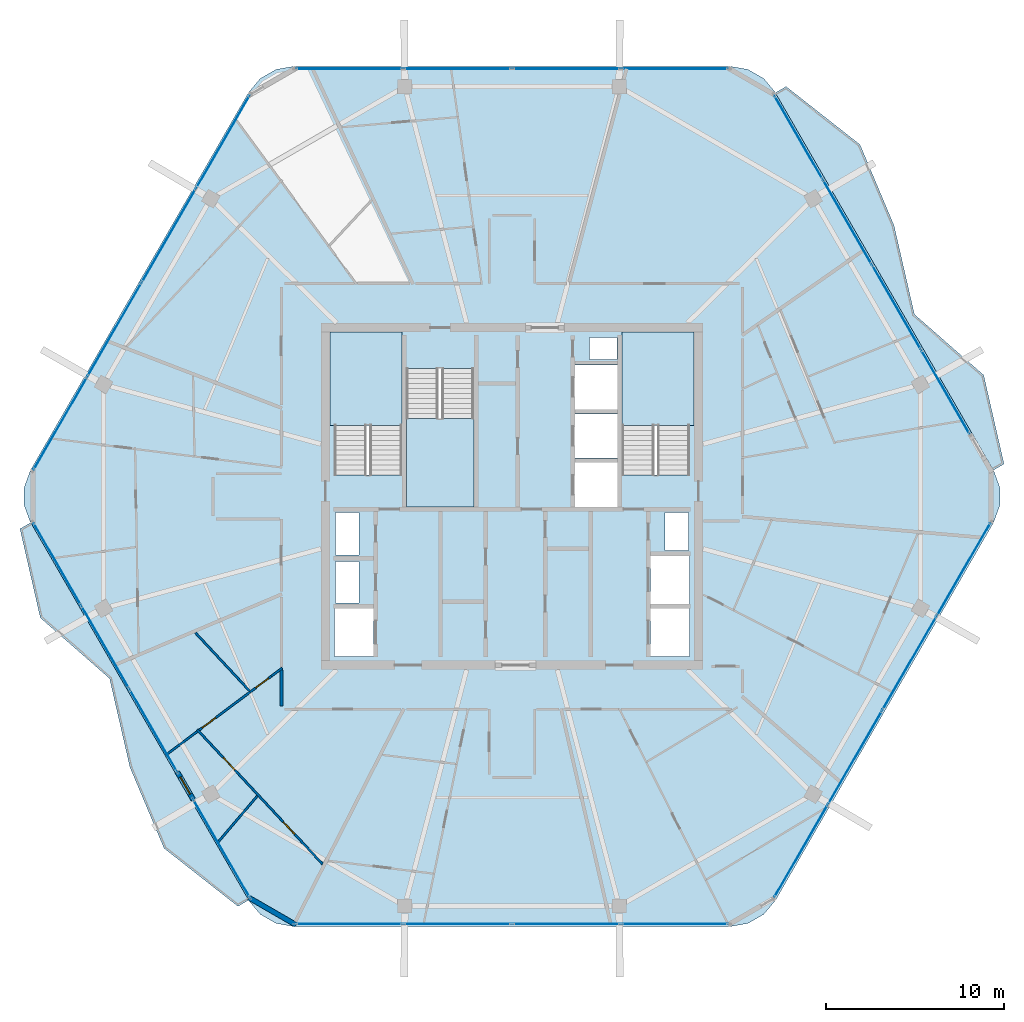
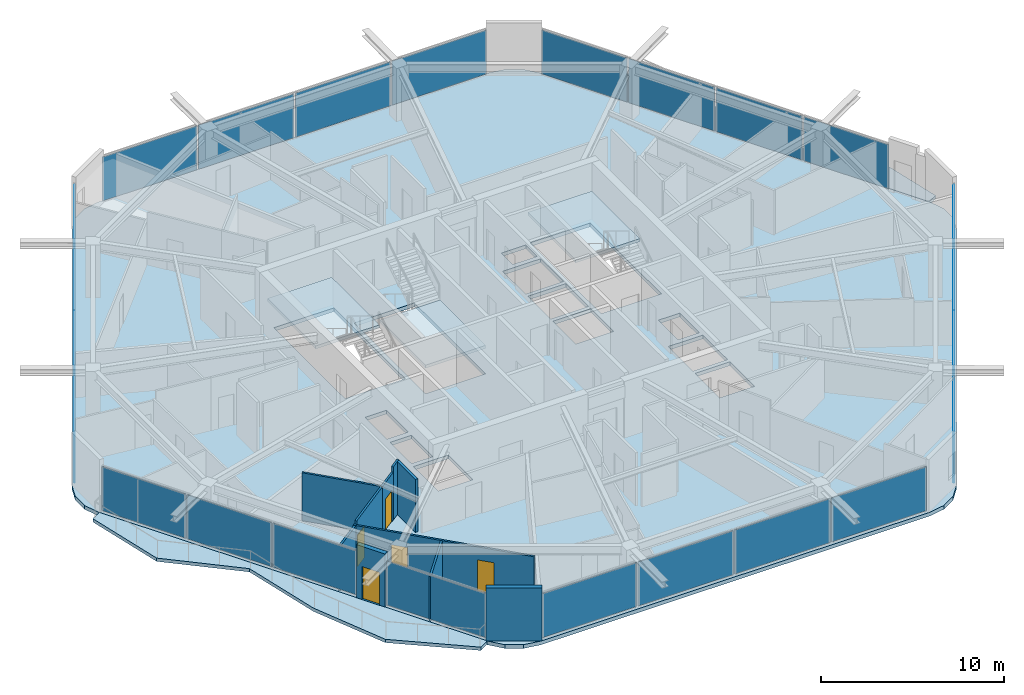
# One storey, part 13 of 21: 24 plates, 10 walls, 6 slabs, 5 doors, 5 openings, 10 elements without a shape of their own.
"""IFC4 building model written with IfcOpenShell, lengths in metres."""

from ifc_helpers import new_model, si_unit, direction, frame, frame_2d, origin, origin_2d, place, context, subcontext, project, spatial, polyline, rectangle, outline, extrude, material, layer, layer_set, type_object, element, fill, aggregate, save


model = new_model("IFC4")

# Units and contexts
model_context = context("Model", 3, precision=1e-05, world=origin(), true_north=direction((0.0, 1.0)))
body_context = subcontext(model_context, "Body", "Model", "MODEL_VIEW")
ifc_project = project(units=[si_unit("LENGTHUNIT", "METRE"), si_unit("AREAUNIT", "SQUARE_METRE"), si_unit("VOLUMEUNIT", "CUBIC_METRE"), si_unit("PLANEANGLEUNIT", "RADIAN"), si_unit("MASSUNIT", "GRAM", prefix="KILO")], contexts=[model_context])

# Site, building, storey
site_placement = place(None, origin())
site = spatial("IfcSite", under=ifc_project, at=site_placement, CompositionType="ELEMENT")
building_placement = place(site_placement, origin())
building = spatial("IfcBuilding", under=site, at=building_placement, Name="Zuhravey Tower", CompositionType="ELEMENT")
storey_placement = place(building_placement, frame((0.0, 0.0, 319.60009765625)))
storey = spatial("IfcBuildingStorey", under=building, at=storey_placement, Name="L81", CompositionType="ELEMENT", Elevation=319.60009765625)

# Slabs
ifc_material_1 = material(Name="Concrete C50/60", Category="concrete")
ifc_layer_1 = layer(ifc_material_1, 0.25)
ifc_layer_set_1 = layer_set([ifc_layer_1], Name="Concrete C50/60")
slab_type_1 = type_object("IfcSlabType", Name="Residential Acoustic Slab 250", PredefinedType="FLOOR", material=ifc_layer_set_1)
slab_1_placement = place(storey_placement, frame((0.0, 0.0, -0.25)))
element("IfcSlab", 1, at=slab_1_placement, inside=storey, type_object=slab_type_1, Name="L81 Floor Slab FS25", PredefinedType="FLOOR", context=body_context, shape_type="SweptSolid", body=[
    extrude(outline(polyline([(63.1083984375, 30.52490234375), (63.458740234375, 31.48779296875), (63.458740234375, 32.51220703125), (63.1083984375, 33.47509765625), (50.83154296875, 54.739013671875), (50.173095703125, 55.52392578125), (49.285888671875, 56.0361328125), (48.27685546875, 56.214111328125), (23.72314453125, 56.214111328125), (22.714111328125, 56.0361328125), (21.826904296875, 55.52392578125), (21.16845703125, 54.739013671875), (8.8916015625, 33.47509765625), (8.541259765625, 32.51220703125), (8.541259765625, 31.48779296875), (8.8916015625, 30.52490234375), (21.16845703125, 9.260986328125), (21.826904296875, 8.47607421875), (22.714111328125, 7.9638671875), (23.72314453125, 7.785888671875), (48.27685546875, 7.785888671875), (49.285888671875, 7.9638671875), (50.173095703125, 8.47607421875), (50.83154296875, 9.260986328125), (63.1083984375, 30.52490234375)]), holes=[polyline([(29.800048828125, 33.20068359375), (29.800048828125, 41.0), (26.0, 41.0), (26.0, 33.20068359375), (29.800048828125, 33.20068359375)]), polyline([(46.0, 33.20068359375), (46.0, 41.0), (42.199951171875, 41.0), (42.199951171875, 33.20068359375), (46.0, 33.20068359375)]), polyline([(30.050048828125, 39.199462890625), (30.050048828125, 31.39990234375), (33.85009765625, 31.39990234375), (33.85009765625, 39.199462890625), (30.050048828125, 39.199462890625)]), polyline([(39.550048828125, 31.39990234375), (41.949951171875, 31.39990234375), (41.949951171875, 33.89990234375), (39.550048828125, 33.89990234375), (39.550048828125, 31.39990234375)]), polyline([(39.550048828125, 34.14990234375), (41.949951171875, 34.14990234375), (41.949951171875, 36.64990234375), (39.550048828125, 36.64990234375), (39.550048828125, 34.14990234375)]), polyline([(39.550048828125, 36.89990234375), (41.949951171875, 36.89990234375), (41.949951171875, 39.39990234375), (39.550048828125, 39.39990234375), (39.550048828125, 36.89990234375)]), polyline([(26.0, 23.0), (28.199951171875, 23.0), (28.199951171875, 25.699951171875), (26.0, 25.699951171875), (26.0, 23.0)]), polyline([(43.800048828125, 23.0), (46.0, 23.0), (46.0, 25.699951171875), (43.800048828125, 25.699951171875), (43.800048828125, 23.0)]), polyline([(43.800048828125, 25.949951171875), (46.0, 25.949951171875), (46.0, 28.64990234375), (43.800048828125, 28.64990234375), (43.800048828125, 25.949951171875)]), polyline([(26.050048828125, 26.0), (27.39990234375, 26.0), (27.39990234375, 28.35009765625), (26.050048828125, 28.35009765625), (26.050048828125, 26.0)]), polyline([(26.050048828125, 28.699951171875), (27.39990234375, 28.699951171875), (27.39990234375, 31.10009765625), (26.050048828125, 31.10009765625), (26.050048828125, 28.699951171875)]), polyline([(44.60009765625, 28.949951171875), (45.949951171875, 28.949951171875), (45.949951171875, 31.10009765625), (44.60009765625, 31.10009765625), (44.60009765625, 28.949951171875)]), polyline([(40.35009765625, 39.699951171875), (41.89990234375, 39.699951171875), (41.89990234375, 40.949951171875), (40.35009765625, 40.949951171875), (40.35009765625, 39.699951171875)])]), origin(), (0.0, 0.0, 1.0), 0.25),
])
ifc_material_2 = material(Name="Concrete C40/50", Category="concrete")
ifc_layer_2 = layer(ifc_material_2, 0.219970703125)
ifc_layer_set_2 = layer_set([ifc_layer_2], Name="Concrete C40/50")
slab_type_2 = type_object("IfcSlabType", Name="Sinusoidal Residential Wave Balcony 220", PredefinedType="FLOOR", material=ifc_layer_set_2)
slab_2_placement = place(storey_placement, frame((0.0, 0.0, -0.22021484375)))
element("IfcSlab", 2, at=slab_2_placement, inside=storey, type_object=slab_type_2, Name="L81 Face 4 Wave Balcony WB22", PredefinedType="FLOOR", context=body_context, shape_type="SweptSolid", body=[
    extrude(outline(polyline([(8.908935546875, 30.52490234375), (21.177001953125, 9.27587890625), (20.57080078125, 8.92578125), (16.4140625, 12.1923828125), (14.494384765625, 16.75048828125), (13.345703125, 21.75390625), (9.44775390625, 25.169677734375), (8.302734375, 30.175048828125), (8.908935546875, 30.52490234375)])), origin(), (0.0, 0.0, 1.0), 0.22021484375),
])
slab_3_placement = place(storey_placement, frame((0.0, 0.0, -0.22021484375)))
element("IfcSlab", 3, at=slab_3_placement, inside=storey, type_object=slab_type_2, Name="L81 Face 1 Wave Balcony WB22", PredefinedType="FLOOR", context=body_context, shape_type="SweptSolid", body=[
    extrude(outline(polyline([(63.091064453125, 33.47509765625), (50.822998046875, 54.72412109375), (51.42919921875, 55.07421875), (55.5859375, 51.8076171875), (57.505615234375, 47.24951171875), (58.654296875, 42.24609375), (62.55224609375, 38.830322265625), (63.697265625, 33.824951171875), (63.091064453125, 33.47509765625)])), origin(), (0.0, 0.0, 1.0), 0.22021484375),
])

# Stair, slab
stair_type = type_object("IfcStairType", Name="Housing Storey Stair Assembly 3800", PredefinedType="HALF_TURN_STAIR", material=ifc_material_2)
stair_1_placement = place(storey_placement, origin())
stair_1 = element("IfcStair", 4, at=stair_1_placement, inside=storey, type_object=stair_type, Name="L81 Core Exit Stair ST1", PredefinedType="HALF_TURN_STAIR")
ifc_layer_3 = layer(ifc_material_2, 0.199951171875)
ifc_layer_set_3 = layer_set([ifc_layer_3], Name="Concrete C40/50")
slab_type_3 = type_object("IfcSlabType", Name="Stair Landing Slab 200", PredefinedType="LANDING", material=ifc_layer_set_3)
slab_4_placement = place(storey_placement, frame((0.0, 0.0, 1.699951171875)))
slab_4 = element("IfcSlab", 5, at=slab_4_placement, type_object=slab_type_3, Name="ST1 landing 1", PredefinedType="LANDING", context=body_context, shape_type="SweptSolid", body=[
    extrude(outline(polyline([(29.800048828125, 36.0), (29.800048828125, 41.248046875), (25.751953125, 41.248046875), (25.751953125, 36.0), (29.800048828125, 36.0)])), origin(), (0.0, 0.0, 1.0), 0.199951171875),
])
aggregate(stair_1, [slab_4])

stair_2_placement = place(storey_placement, origin())
stair_2 = element("IfcStair", 6, at=stair_2_placement, inside=storey, type_object=stair_type, Name="L81 Core Exit Stair ST2", PredefinedType="HALF_TURN_STAIR")
slab_5_placement = place(storey_placement, frame((0.0, 0.0, 1.699951171875)))
slab_5 = element("IfcSlab", 7, at=slab_5_placement, type_object=slab_type_3, Name="ST2 landing 1", PredefinedType="LANDING", context=body_context, shape_type="SweptSolid", body=[
    extrude(outline(polyline([(46.248046875, 36.0), (46.248046875, 41.248046875), (42.199951171875, 41.248046875), (42.199951171875, 36.0), (46.248046875, 36.0)])), origin(), (0.0, 0.0, 1.0), 0.199951171875),
])
aggregate(stair_2, [slab_5])

stair_3_placement = place(storey_placement, origin())
stair_3 = element("IfcStair", 8, at=stair_3_placement, inside=storey, type_object=stair_type, Name="L81 Core Exit Stair ST3", PredefinedType="HALF_TURN_STAIR")
slab_6_placement = place(storey_placement, frame((0.0, 0.0, 1.699951171875)))
slab_6 = element("IfcSlab", 9, at=slab_6_placement, type_object=slab_type_3, Name="ST3 landing 1", PredefinedType="LANDING", context=body_context, shape_type="SweptSolid", body=[
    extrude(outline(polyline([(30.050048828125, 36.39990234375), (30.050048828125, 31.39990234375), (33.85009765625, 31.39990234375), (33.85009765625, 36.39990234375), (30.050048828125, 36.39990234375)])), origin(), (0.0, 0.0, 1.0), 0.199951171875),
])
aggregate(stair_3, [slab_6])

# Curtain wall, plates
ifc_material_3 = material(Name="Thermally broken anodised aluminium", Category="aluminium")
curtain_wall_type = type_object("IfcCurtainWallType", Name="Zone 3-4 High-Rise Curtain Wall CW4", PredefinedType="NOTDEFINED", material=ifc_material_3)
curtain_wall_1_placement = place(storey_placement, origin())
curtain_wall_1 = element("IfcCurtainWall", 10, at=curtain_wall_1_placement, inside=storey, type_object=curtain_wall_type, Name="L81 CW4 CW-L81-F6-1", PredefinedType="NOTDEFINED")
ifc_material_4 = material(Name="Triple low-E insulated vision glass", Category="glass")
ifc_layer_4 = layer(ifc_material_4, 0.0419921875)
ifc_layer_set_4 = layer_set([ifc_layer_4], Name="Triple low-E insulated vision glass")
plate_type = type_object("IfcPlateType", Name="Triple Low-E Vision Panel", PredefinedType="CURTAIN_PANEL", material=ifc_layer_set_4)
plate_1_placement = place(storey_placement, frame((61.42724609375, 27.89306640625, 0.08984375), z_axis=(0.0, 0.0, 1.0), x_axis=(-0.49999981336, -0.866025511541, 0.0)))
plate_1 = element("IfcPlate", 11, at=plate_1_placement, type_object=plate_type, Name="CW4 panel 1.1", PredefinedType="CURTAIN_PANEL", context=body_context, shape_type="SweptSolid", body=[
    extrude(rectangle(XDim=5.984619140625, YDim=0.0419921875, at=origin_2d()), origin(), (0.0, 0.0, 1.0), 2.94189453125),
])
plate_2_placement = place(storey_placement, frame((58.378662109375, 22.61279296875, 0.08984375), z_axis=(0.0, 0.0, 1.0), x_axis=(-0.49999981336, -0.866025511541, 0.0)))
plate_2 = element("IfcPlate", 12, at=plate_2_placement, type_object=plate_type, Name="CW4 panel 2.1", PredefinedType="CURTAIN_PANEL", context=body_context, shape_type="SweptSolid", body=[
    extrude(rectangle(XDim=6.029541015625, YDim=0.0419921875, at=origin_2d()), origin(), (0.0, 0.0, 1.0), 2.94189453125),
])
plate_3_placement = place(storey_placement, frame((55.31884765625, 17.31298828125, 0.08984375), z_axis=(0.0, 0.0, 1.0), x_axis=(-0.49999981336, -0.866025511541, 0.0)))
plate_3 = element("IfcPlate", 13, at=plate_3_placement, type_object=plate_type, Name="CW4 panel 3.1", PredefinedType="CURTAIN_PANEL", context=body_context, shape_type="SweptSolid", body=[
    extrude(rectangle(XDim=6.029541015625, YDim=0.0419921875, at=origin_2d()), origin(), (0.0, 0.0, 1.0), 2.94189453125),
])
plate_4_placement = place(storey_placement, frame((52.270263671875, 12.03271484375, 0.08984375), z_axis=(0.0, 0.0, 1.0), x_axis=(-0.49999981336, -0.866025511541, 0.0)))
plate_4 = element("IfcPlate", 14, at=plate_4_placement, type_object=plate_type, Name="CW4 panel 4.1", PredefinedType="CURTAIN_PANEL", context=body_context, shape_type="SweptSolid", body=[
    extrude(rectangle(XDim=5.984619140625, YDim=0.0419921875, at=origin_2d()), origin(), (0.0, 0.0, 1.0), 2.94189453125),
])
aggregate(curtain_wall_1, [plate_1, plate_2, plate_3, plate_4])

curtain_wall_2_placement = place(storey_placement, origin())
curtain_wall_2 = element("IfcCurtainWall", 15, at=curtain_wall_2_placement, inside=storey, type_object=curtain_wall_type, Name="L81 CW4 CW-L81-F5-1", PredefinedType="NOTDEFINED")
plate_5_placement = place(storey_placement, frame((45.156982421875, 7.92578125, 0.08984375), z_axis=(0.0, 0.0, 1.0), x_axis=(-1.0, 0.0, 0.0)))
plate_5 = element("IfcPlate", 16, at=plate_5_placement, type_object=plate_type, Name="CW4 panel 1.1", PredefinedType="CURTAIN_PANEL", context=body_context, shape_type="SweptSolid", body=[
    extrude(rectangle(XDim=5.984619140625, YDim=0.0419921875, at=origin_2d()), origin(), (0.0, 0.0, 1.0), 2.94189453125),
])
plate_6_placement = place(storey_placement, frame((39.059814453125, 7.92578125, 0.08984375), z_axis=(0.0, 0.0, 1.0), x_axis=(-1.0, 0.0, 0.0)))
plate_6 = element("IfcPlate", 17, at=plate_6_placement, type_object=plate_type, Name="CW4 panel 2.1", PredefinedType="CURTAIN_PANEL", context=body_context, shape_type="SweptSolid", body=[
    extrude(rectangle(XDim=6.029541015625, YDim=0.0419921875, at=origin_2d()), origin(), (0.0, 0.0, 1.0), 2.94189453125),
])
plate_7_placement = place(storey_placement, frame((32.940185546875, 7.92578125, 0.08984375), z_axis=(0.0, 0.0, 1.0), x_axis=(-1.0, 0.0, 0.0)))
plate_7 = element("IfcPlate", 18, at=plate_7_placement, type_object=plate_type, Name="CW4 panel 3.1", PredefinedType="CURTAIN_PANEL", context=body_context, shape_type="SweptSolid", body=[
    extrude(rectangle(XDim=6.029541015625, YDim=0.0419921875, at=origin_2d()), origin(), (0.0, 0.0, 1.0), 2.94189453125),
])
plate_8_placement = place(storey_placement, frame((26.843017578125, 7.92578125, 0.08984375), z_axis=(0.0, 0.0, 1.0), x_axis=(-1.0, 0.0, 0.0)))
plate_8 = element("IfcPlate", 19, at=plate_8_placement, type_object=plate_type, Name="CW4 panel 4.1", PredefinedType="CURTAIN_PANEL", context=body_context, shape_type="SweptSolid", body=[
    extrude(rectangle(XDim=5.984619140625, YDim=0.0419921875, at=origin_2d()), origin(), (0.0, 0.0, 1.0), 2.94189453125),
])
aggregate(curtain_wall_2, [plate_5, plate_6, plate_7, plate_8])

# Curtain wall, plate
curtain_wall_3_placement = place(storey_placement, origin())
curtain_wall_3 = element("IfcCurtainWall", 20, at=curtain_wall_3_placement, inside=storey, type_object=curtain_wall_type, Name="L81 CW4 CW-L81-F4-1", PredefinedType="NOTDEFINED")
plate_9_placement = place(storey_placement, frame((19.6494140625, 12.171630859375, 0.08984375), z_axis=(0.0, 0.0, 1.0), x_axis=(-0.499999623365, 0.866025621235, 0.0)))
plate_9 = element("IfcPlate", 21, at=plate_9_placement, type_object=plate_type, Name="CW4 panel 1.1", PredefinedType="CURTAIN_PANEL", context=body_context, shape_type="SweptSolid", body=[
    extrude(rectangle(XDim=6.3056640625, YDim=0.0419921875, at=origin_2d()), origin(), (0.0, 0.0, 1.0), 2.94189453125),
])
aggregate(curtain_wall_3, [plate_9])

# Curtain wall, plates
curtain_wall_4_placement = place(storey_placement, origin())
curtain_wall_4 = element("IfcCurtainWall", 22, at=curtain_wall_4_placement, inside=storey, type_object=curtain_wall_type, Name="L81 CW4 CW-L81-F4-2", PredefinedType="NOTDEFINED")
plate_10_placement = place(storey_placement, frame((15.80908203125, 18.823486328125, 0.08984375), z_axis=(0.0, 0.0, 1.0), x_axis=(-0.49999872177, 0.86602614177, 0.0)))
plate_10 = element("IfcPlate", 23, at=plate_10_placement, type_object=plate_type, Name="CW4 panel 1.1", PredefinedType="CURTAIN_PANEL", context=body_context, shape_type="SweptSolid", body=[
    extrude(rectangle(XDim=5.2958984375, YDim=0.0419921875, at=origin_2d()), origin(), (0.0, 0.0, 1.0), 2.94189453125),
])
plate_11_placement = place(storey_placement, frame((13.104736328125, 23.50732421875, 0.08984375), z_axis=(0.0, 0.0, 1.0), x_axis=(-0.49999872177, 0.86602614177, 0.0)))
plate_11 = element("IfcPlate", 24, at=plate_11_placement, type_object=plate_type, Name="CW4 panel 2.1", PredefinedType="CURTAIN_PANEL", context=body_context, shape_type="SweptSolid", body=[
    extrude(rectangle(XDim=5.341064453125, YDim=0.0419921875, at=origin_2d()), origin(), (0.0, 0.0, 1.0), 2.94189453125),
])
plate_12_placement = place(storey_placement, frame((10.400634765625, 28.19140625, 0.08984375), z_axis=(0.0, 0.0, 1.0), x_axis=(-0.49999872177, 0.86602614177, 0.0)))
plate_12 = element("IfcPlate", 25, at=plate_12_placement, type_object=plate_type, Name="CW4 panel 3.1", PredefinedType="CURTAIN_PANEL", context=body_context, shape_type="SweptSolid", body=[
    extrude(rectangle(XDim=5.2958984375, YDim=0.0419921875, at=origin_2d()), origin(), (0.0, 0.0, 1.0), 2.94189453125),
])
aggregate(curtain_wall_4, [plate_10, plate_11, plate_12])

curtain_wall_5_placement = place(storey_placement, origin())
curtain_wall_5 = element("IfcCurtainWall", 26, at=curtain_wall_5_placement, inside=storey, type_object=curtain_wall_type, Name="L81 CW4 CW-L81-F3-1", PredefinedType="NOTDEFINED")
plate_13_placement = place(storey_placement, frame((10.57275390625, 36.10693359375, 0.08984375), z_axis=(0.0, 0.0, 1.0), x_axis=(0.49999981336, 0.866025511541, 0.0)))
plate_13 = element("IfcPlate", 27, at=plate_13_placement, type_object=plate_type, Name="CW4 panel 1.1", PredefinedType="CURTAIN_PANEL", context=body_context, shape_type="SweptSolid", body=[
    extrude(rectangle(XDim=5.984619140625, YDim=0.0419921875, at=origin_2d()), origin(), (0.0, 0.0, 1.0), 2.94189453125),
])
plate_14_placement = place(storey_placement, frame((13.621337890625, 41.38720703125, 0.08984375), z_axis=(0.0, 0.0, 1.0), x_axis=(0.49999981336, 0.866025511541, 0.0)))
plate_14 = element("IfcPlate", 28, at=plate_14_placement, type_object=plate_type, Name="CW4 panel 2.1", PredefinedType="CURTAIN_PANEL", context=body_context, shape_type="SweptSolid", body=[
    extrude(rectangle(XDim=6.029541015625, YDim=0.0419921875, at=origin_2d()), origin(), (0.0, 0.0, 1.0), 2.94189453125),
])
plate_15_placement = place(storey_placement, frame((16.68115234375, 46.68701171875, 0.08984375), z_axis=(0.0, 0.0, 1.0), x_axis=(0.49999981336, 0.866025511541, 0.0)))
plate_15 = element("IfcPlate", 29, at=plate_15_placement, type_object=plate_type, Name="CW4 panel 3.1", PredefinedType="CURTAIN_PANEL", context=body_context, shape_type="SweptSolid", body=[
    extrude(rectangle(XDim=6.029541015625, YDim=0.0419921875, at=origin_2d()), origin(), (0.0, 0.0, 1.0), 2.94189453125),
])
plate_16_placement = place(storey_placement, frame((19.729736328125, 51.96728515625, 0.08984375), z_axis=(0.0, 0.0, 1.0), x_axis=(0.49999981336, 0.866025511541, 0.0)))
plate_16 = element("IfcPlate", 30, at=plate_16_placement, type_object=plate_type, Name="CW4 panel 4.1", PredefinedType="CURTAIN_PANEL", context=body_context, shape_type="SweptSolid", body=[
    extrude(rectangle(XDim=5.984619140625, YDim=0.0419921875, at=origin_2d()), origin(), (0.0, 0.0, 1.0), 2.94189453125),
])
aggregate(curtain_wall_5, [plate_13, plate_14, plate_15, plate_16])

curtain_wall_6_placement = place(storey_placement, origin())
curtain_wall_6 = element("IfcCurtainWall", 31, at=curtain_wall_6_placement, inside=storey, type_object=curtain_wall_type, Name="L81 CW4 CW-L81-F2-1", PredefinedType="NOTDEFINED")
plate_17_placement = place(storey_placement, frame((26.843017578125, 56.07421875, 0.08984375), z_axis=(0.0, 0.0, 1.0), x_axis=(1.0, 0.0, 0.0)))
plate_17 = element("IfcPlate", 32, at=plate_17_placement, type_object=plate_type, Name="CW4 panel 1.1", PredefinedType="CURTAIN_PANEL", context=body_context, shape_type="SweptSolid", body=[
    extrude(rectangle(XDim=5.984619140625, YDim=0.0419921875, at=origin_2d()), origin(), (0.0, 0.0, 1.0), 2.94189453125),
])
plate_18_placement = place(storey_placement, frame((32.940185546875, 56.07421875, 0.08984375), z_axis=(0.0, 0.0, 1.0), x_axis=(1.0, 0.0, 0.0)))
plate_18 = element("IfcPlate", 33, at=plate_18_placement, type_object=plate_type, Name="CW4 panel 2.1", PredefinedType="CURTAIN_PANEL", context=body_context, shape_type="SweptSolid", body=[
    extrude(rectangle(XDim=6.029541015625, YDim=0.0419921875, at=origin_2d()), origin(), (0.0, 0.0, 1.0), 2.94189453125),
])
plate_19_placement = place(storey_placement, frame((39.059814453125, 56.07421875, 0.08984375), z_axis=(0.0, 0.0, 1.0), x_axis=(1.0, 0.0, 0.0)))
plate_19 = element("IfcPlate", 34, at=plate_19_placement, type_object=plate_type, Name="CW4 panel 3.1", PredefinedType="CURTAIN_PANEL", context=body_context, shape_type="SweptSolid", body=[
    extrude(rectangle(XDim=6.029541015625, YDim=0.0419921875, at=origin_2d()), origin(), (0.0, 0.0, 1.0), 2.94189453125),
])
plate_20_placement = place(storey_placement, frame((45.156982421875, 56.07421875, 0.08984375), z_axis=(0.0, 0.0, 1.0), x_axis=(1.0, 0.0, 0.0)))
plate_20 = element("IfcPlate", 35, at=plate_20_placement, type_object=plate_type, Name="CW4 panel 4.1", PredefinedType="CURTAIN_PANEL", context=body_context, shape_type="SweptSolid", body=[
    extrude(rectangle(XDim=5.984619140625, YDim=0.0419921875, at=origin_2d()), origin(), (0.0, 0.0, 1.0), 2.94189453125),
])
aggregate(curtain_wall_6, [plate_17, plate_18, plate_19, plate_20])

curtain_wall_7_placement = place(storey_placement, origin())
curtain_wall_7 = element("IfcCurtainWall", 36, at=curtain_wall_7_placement, inside=storey, type_object=curtain_wall_type, Name="L81 CW4 CW-L81-F1-1", PredefinedType="NOTDEFINED")
plate_21_placement = place(storey_placement, frame((52.123291015625, 52.2216796875, 0.08984375), z_axis=(0.0, 0.0, 1.0), x_axis=(0.500000582154, -0.866025067677, 0.0)))
plate_21 = element("IfcPlate", 37, at=plate_21_placement, type_object=plate_type, Name="CW4 panel 1.1", PredefinedType="CURTAIN_PANEL", context=body_context, shape_type="SweptSolid", body=[
    extrude(rectangle(XDim=5.397216796875, YDim=0.0419921875, at=origin_2d()), origin(), (0.0, 0.0, 1.0), 2.94189453125),
])
plate_22_placement = place(storey_placement, frame((54.878173828125, 47.4501953125, 0.08984375), z_axis=(0.0, 0.0, 1.0), x_axis=(0.500000582154, -0.866025067677, 0.0)))
plate_22 = element("IfcPlate", 38, at=plate_22_placement, type_object=plate_type, Name="CW4 panel 2.1", PredefinedType="CURTAIN_PANEL", context=body_context, shape_type="SweptSolid", body=[
    extrude(rectangle(XDim=5.442138671875, YDim=0.0419921875, at=origin_2d()), origin(), (0.0, 0.0, 1.0), 2.94189453125),
])
plate_23_placement = place(storey_placement, frame((57.644287109375, 42.6591796875, 0.08984375), z_axis=(0.0, 0.0, 1.0), x_axis=(0.500000582154, -0.866025067677, 0.0)))
plate_23 = element("IfcPlate", 39, at=plate_23_placement, type_object=plate_type, Name="CW4 panel 3.1", PredefinedType="CURTAIN_PANEL", context=body_context, shape_type="SweptSolid", body=[
    extrude(rectangle(XDim=5.442138671875, YDim=0.0419921875, at=origin_2d()), origin(), (0.0, 0.0, 1.0), 2.94189453125),
])
plate_24_placement = place(storey_placement, frame((60.399169921875, 37.8876953125, 0.08984375), z_axis=(0.0, 0.0, 1.0), x_axis=(0.500000582154, -0.866025067677, 0.0)))
plate_24 = element("IfcPlate", 40, at=plate_24_placement, type_object=plate_type, Name="CW4 panel 4.1", PredefinedType="CURTAIN_PANEL", context=body_context, shape_type="SweptSolid", body=[
    extrude(rectangle(XDim=5.397216796875, YDim=0.0419921875, at=origin_2d()), origin(), (0.0, 0.0, 1.0), 2.94189453125),
])
aggregate(curtain_wall_7, [plate_21, plate_22, plate_23, plate_24])

# Walls
ifc_material_5 = material(Name="Gypsum fire-rated stud partition")
ifc_layer_5 = layer(ifc_material_5, 0.159912109375)
ifc_layer_set_5 = layer_set([ifc_layer_5], Name="Gypsum fire-rated stud partition")
wall_type_1 = type_object("IfcWallType", Name="Corridor Fire Partition 160", PredefinedType="PARTITIONING", material=ifc_layer_set_5)
wall_1_placement = place(storey_placement, frame((23.02001953125, 22.218994140625, 0.0), z_axis=(0.0, 0.0, 1.0), x_axis=(0.0, -1.0, 0.0)))
element("IfcWall", 41, at=wall_1_placement, inside=storey, type_object=wall_type_1, Name="L81 IW16 Partition 099", PredefinedType="PARTITIONING", context=body_context, shape_type="SweptSolid", body=[
    extrude(rectangle(XDim=2.01904296875, YDim=0.159912109375, at=frame_2d((1.009521484375, 0.0))), origin(), (0.0, 0.0, 1.0), 3.5498046875),
])
ifc_material_6 = material(Name="Precast concrete C40/50", Category="concrete")
ifc_layer_6 = layer(ifc_material_6, 0.280029296875)
ifc_layer_set_6 = layer_set([ifc_layer_6], Name="Precast concrete C40/50")
wall_type_2 = type_object("IfcWallType", Name="Crown Architectural Wall 280", PredefinedType="SOLIDWALL", material=ifc_layer_set_6)
wall_2_placement = place(storey_placement, frame((23.843017578125, 7.87841796875, 0.0), z_axis=(0.0, 0.0, 1.0), x_axis=(-0.866023752521, 0.50000286006, 0.0)))
element("IfcWall", 42, at=wall_2_placement, inside=storey, type_object=wall_type_2, Name="L81 Rounded Corner Closure Wall EW28-04", PredefinedType="SOLIDWALL", context=body_context, shape_type="SweptSolid", body=[
    extrude(rectangle(XDim=3.06494140625, YDim=0.280029296875, at=frame_2d((1.532470703125, 0.0))), origin(), (0.0, 0.0, 1.0), 3.5498046875),
])

# Wall, opening, door
wall_3_placement = place(storey_placement, frame((18.050537109375, 14.941162109375, 0.0), z_axis=(0.0, 0.0, 1.0), x_axis=(-0.500041240653, 0.866001592173, 0.0)))
wall_3 = element("IfcWall", 43, at=wall_3_placement, inside=storey, type_object=wall_type_2, Name="L81 Face 4 Facade Pier EW28-1", PredefinedType="SOLIDWALL", context=body_context, shape_type="SweptSolid", body=[
    extrude(rectangle(XDim=1.789794921875, YDim=0.280029296875, at=frame_2d((0.89501953125, 0.0))), origin(), (0.0, 0.0, 1.0), 3.5498046875),
])
opening_1_placement = place(wall_3_placement, frame((0.344970703125, 0.0, 0.0)))
opening_1 = element("IfcOpeningElement", 44, at=opening_1_placement, cuts=wall_3, Name="Opening BLD1", PredefinedType="OPENING", context=body_context, shape_type="SweptSolid", body=[
    extrude(rectangle(XDim=1.10009765625, YDim=2.199951171875, at=frame_2d((0.550048828125, 1.10009765625))), frame((0.0, 0.152099609375, 0.0), z_axis=(0.0, -1.0, 0.0), x_axis=(1.0, 0.0, 0.0)), (0.0, 0.0, 1.0), 0.303955078125),
])
ifc_material_7 = material(Name="Thermally broken aluminium and low-E glass", Category="aluminium")
door_type_1 = type_object("IfcDoorType", Name="Balcony & Sky-Tray Glazed Door 1100x2200", OperationType="NOTDEFINED", PredefinedType="DOOR", material=ifc_material_7)
door_1_placement = place(opening_1_placement, frame((1.10009765625, 0.0, 0.0), z_axis=(0.0, 0.0, 1.0), x_axis=(-1.0, 0.0, 0.0)))
door_1 = element("IfcDoor", 45, at=door_1_placement, inside=storey, type_object=door_type_1, Name="L81 Face 4 Wave Balcony Door", OperationType="SINGLE_SWING_LEFT", OverallHeight=2.199951171875, OverallWidth=1.10009765625, PredefinedType="DOOR", context=body_context, shape_type="SweptSolid", body=[
    extrude(rectangle(XDim=1.10009765625, YDim=2.199951171875, at=frame_2d((0.550048828125, 1.10009765625))), frame((0.0, 0.02490234375, 0.0), z_axis=(0.0, -1.0, 0.0), x_axis=(1.0, 0.0, 0.0)), (0.0, 0.0, 1.0), 0.050048828125),
])
fill(opening_1, door_1)

# Wall, openings, doors
ifc_material_8 = material(Name="Gypsum metal-stud partition")
ifc_layer_7 = layer(ifc_material_8, 0.1201171875)
ifc_layer_set_7 = layer_set([ifc_layer_7], Name="Gypsum metal-stud partition")
wall_type_3 = type_object("IfcWallType", Name="Unit Internal Partition 120", PredefinedType="PARTITIONING", material=ifc_layer_set_7)
wall_4_placement = place(storey_placement, frame((18.26904296875, 18.879638671875, 0.0), z_axis=(0.0, 0.0, 1.0), x_axis=(0.682011831642, -0.731341138936, 0.0)))
wall_4 = element("IfcWall", 46, at=wall_4_placement, inside=storey, type_object=wall_type_3, Name="L81 IW12 Partition 031", PredefinedType="PARTITIONING", context=body_context, shape_type="SweptSolid", body=[
    extrude(rectangle(XDim=10.363525390625, YDim=0.1201171875, at=frame_2d((5.181640625, 0.0))), origin(), (0.0, 0.0, 1.0), 2.969970703125),
])
opening_2_placement = place(wall_4_placement, frame((2.16796875, 0.0, 0.0)))
opening_2 = element("IfcOpeningElement", 47, at=opening_2_placement, cuts=wall_4, Name="Opening IND1", PredefinedType="OPENING", context=body_context, shape_type="SweptSolid", body=[
    extrude(rectangle(XDim=0.949951171875, YDim=2.10009765625, at=frame_2d((0.47509765625, 1.050048828125))), frame((0.0, 0.072021484375, 0.0), z_axis=(0.0, -1.0, 0.0), x_axis=(1.0, 0.0, 0.0)), (0.0, 0.0, 1.0), 0.14404296875),
])
opening_3_placement = place(wall_4_placement, frame((7.10888671875, 0.0, 0.0)))
opening_3 = element("IfcOpeningElement", 48, at=opening_3_placement, cuts=wall_4, Name="Opening IND1", PredefinedType="OPENING", context=body_context, shape_type="SweptSolid", body=[
    extrude(rectangle(XDim=0.949951171875, YDim=2.10009765625, at=frame_2d((0.47509765625, 1.050048828125))), frame((0.0, 0.072021484375, 0.0), z_axis=(0.0, -1.0, 0.0), x_axis=(1.0, 0.0, 0.0)), (0.0, 0.0, 1.0), 0.14404296875),
])
ifc_material_9 = material(Name="Painted engineered timber leaf", Category="wood")
door_type_2 = type_object("IfcDoorType", Name="Internal Room & Bedroom Door 950x2100", OperationType="NOTDEFINED", PredefinedType="DOOR", material=ifc_material_9)
door_2_placement = place(opening_2_placement, frame((0.949951171875, 0.0, 0.0), z_axis=(0.0, 0.0, 1.0), x_axis=(-1.0, 0.0, 0.0)))
door_2 = element("IfcDoor", 49, at=door_2_placement, inside=storey, type_object=door_type_2, Name="Apartment L81-03 Family Study Door", OperationType="SINGLE_SWING_RIGHT", OverallHeight=2.10009765625, OverallWidth=0.949951171875, PredefinedType="DOOR", context=body_context, shape_type="SweptSolid", body=[
    extrude(rectangle(XDim=0.949951171875, YDim=2.10009765625, at=frame_2d((0.47509765625, 1.050048828125))), frame((0.0, 0.02490234375, 0.0), z_axis=(0.0, -1.0, 0.0), x_axis=(1.0, 0.0, 0.0)), (0.0, 0.0, 1.0), 0.050048828125),
])
fill(opening_2, door_2)
door_3_placement = place(opening_3_placement, frame((0.949951171875, 0.0, 0.0), z_axis=(0.0, 0.0, 1.0), x_axis=(-1.0, 0.0, 0.0)))
door_3 = element("IfcDoor", 50, at=door_3_placement, inside=storey, type_object=door_type_2, Name="Apartment L81-03 Dining Room Door", OperationType="SINGLE_SWING_LEFT", OverallHeight=2.10009765625, OverallWidth=0.949951171875, PredefinedType="DOOR", context=body_context, shape_type="SweptSolid", body=[
    extrude(rectangle(XDim=0.949951171875, YDim=2.10009765625, at=frame_2d((0.47509765625, 1.050048828125))), frame((0.0, 0.02490234375, 0.0), z_axis=(0.0, -1.0, 0.0), x_axis=(1.0, 0.0, 0.0)), (0.0, 0.0, 1.0), 0.050048828125),
])
fill(opening_3, door_3)

# Wall, opening, door
wall_5_placement = place(storey_placement, frame((22.449951171875, 21.878173828125, 0.0), z_axis=(0.0, 0.0, 1.0), x_axis=(-0.801099101306, -0.598531728388, 0.0)))
wall_5 = element("IfcWall", 51, at=wall_5_placement, inside=storey, type_object=wall_type_3, Name="L81 IW12 Partition 032", PredefinedType="PARTITIONING", context=body_context, shape_type="SweptSolid", body=[
    extrude(rectangle(XDim=1.490966796875, YDim=0.1201171875, at=frame_2d((0.74560546875, 0.0))), origin(), (0.0, 0.0, 1.0), 3.199951171875),
])
opening_4_placement = place(wall_5_placement, frame((0.199951171875, 0.0, 0.0)))
opening_4 = element("IfcOpeningElement", 52, at=opening_4_placement, cuts=wall_5, Name="Opening WCD1", PredefinedType="OPENING", context=body_context, shape_type="SweptSolid", body=[
    extrude(rectangle(XDim=0.89990234375, YDim=2.10009765625, at=frame_2d((0.449951171875, 1.050048828125))), frame((0.0, 0.072021484375, 0.0), z_axis=(0.0, -1.0, 0.0), x_axis=(1.0, 0.0, 0.0)), (0.0, 0.0, 1.0), 0.14404296875),
])
ifc_material_10 = material(Name="Moisture-resistant timber leaf", Category="wood")
door_type_3 = type_object("IfcDoorType", Name="Bathroom & WC Internal Door 900x2100", OperationType="NOTDEFINED", PredefinedType="DOOR", material=ifc_material_10)
door_4_placement = place(opening_4_placement, frame((0.89990234375, 0.0, 0.0), z_axis=(0.0, 0.0, 1.0), x_axis=(-1.0, 0.0, 0.0)))
door_4 = element("IfcDoor", 53, at=door_4_placement, inside=storey, type_object=door_type_3, Name="Apartment L81-03 Bathroom Door", OperationType="SINGLE_SWING_RIGHT", OverallHeight=2.10009765625, OverallWidth=0.89990234375, PredefinedType="DOOR", context=body_context, shape_type="SweptSolid", body=[
    extrude(rectangle(XDim=0.89990234375, YDim=2.10009765625, at=frame_2d((0.449951171875, 1.050048828125))), frame((0.0, 0.02490234375, 0.0), z_axis=(0.0, -1.0, 0.0), x_axis=(1.0, 0.0, 0.0)), (0.0, 0.0, 1.0), 0.050048828125),
])
fill(opening_4, door_4)

wall_6_placement = place(storey_placement, frame((21.255615234375, 20.98583984375, 0.0), z_axis=(0.0, 0.0, 1.0), x_axis=(-0.801154440429, -0.598457653122, 0.0)))
wall_6 = element("IfcWall", 54, at=wall_6_placement, inside=storey, type_object=wall_type_3, Name="L81 IW12 Partition 033", PredefinedType="PARTITIONING", context=body_context, shape_type="SweptSolid", body=[
    extrude(rectangle(XDim=3.57373046875, YDim=0.1201171875, at=frame_2d((1.786865234375, 0.0))), origin(), (0.0, 0.0, 1.0), 3.199951171875),
])
opening_5_placement = place(wall_6_placement, frame((2.421630859375, 0.0, 0.0)))
opening_5 = element("IfcOpeningElement", 55, at=opening_5_placement, cuts=wall_6, Name="Opening IND1", PredefinedType="OPENING", context=body_context, shape_type="SweptSolid", body=[
    extrude(rectangle(XDim=0.949951171875, YDim=2.10009765625, at=frame_2d((0.47509765625, 1.050048828125))), frame((0.0, 0.072021484375, 0.0), z_axis=(0.0, -1.0, 0.0), x_axis=(1.0, 0.0, 0.0)), (0.0, 0.0, 1.0), 0.14404296875),
])
door_5_placement = place(opening_5_placement, frame((0.949951171875, 0.0, 0.0), z_axis=(0.0, 0.0, 1.0), x_axis=(-1.0, 0.0, 0.0)))
door_5 = element("IfcDoor", 56, at=door_5_placement, inside=storey, type_object=door_type_2, Name="Apartment L81-03 Bedroom 1 Door", OperationType="SINGLE_SWING_LEFT", OverallHeight=2.10009765625, OverallWidth=0.949951171875, PredefinedType="DOOR", context=body_context, shape_type="SweptSolid", body=[
    extrude(rectangle(XDim=0.949951171875, YDim=2.10009765625, at=frame_2d((0.47509765625, 1.050048828125))), frame((0.0, 0.02490234375, 0.0), z_axis=(0.0, -1.0, 0.0), x_axis=(1.0, 0.0, 0.0)), (0.0, 0.0, 1.0), 0.050048828125),
])
fill(opening_5, door_5)

# Walls
wall_7_placement = place(storey_placement, frame((18.282958984375, 18.76513671875, 0.0), z_axis=(0.0, 0.0, 1.0), x_axis=(-0.80116606549, -0.598442090353, 0.0)))
element("IfcWall", 57, at=wall_7_placement, inside=storey, type_object=wall_type_3, Name="L81 IW12 Partition 034", PredefinedType="PARTITIONING", context=body_context, shape_type="SweptSolid", body=[
    extrude(rectangle(XDim=2.1328125, YDim=0.1201171875, at=frame_2d((1.06640625, 0.0))), origin(), (0.0, 0.0, 1.0), 2.969970703125),
])
wall_8_placement = place(storey_placement, frame((21.664794921875, 15.138427734375, 0.0), z_axis=(0.0, 0.0, 1.0), x_axis=(-0.647711915691, -0.761885341946, 0.0)))
element("IfcWall", 58, at=wall_8_placement, inside=storey, type_object=wall_type_3, Name="L81 IW12 Partition 068", PredefinedType="PARTITIONING", context=body_context, shape_type="SweptSolid", body=[
    extrude(rectangle(XDim=3.459716796875, YDim=0.1201171875, at=frame_2d((1.72998046875, 0.0))), origin(), (0.0, 0.0, 1.0), 2.969970703125),
])
wall_9_placement = place(storey_placement, frame((23.06494140625, 22.33740234375, 0.0), z_axis=(0.0, 0.0, 1.0), x_axis=(-0.801257856401, -0.598319185348, 0.0)))
element("IfcWall", 59, at=wall_9_placement, inside=storey, type_object=wall_type_3, Name="L81 IW12 Partition 069", PredefinedType="PARTITIONING", context=body_context, shape_type="SweptSolid", body=[
    extrude(rectangle(XDim=0.767578125, YDim=0.1201171875, at=frame_2d((0.3837890625, 0.0))), origin(), (0.0, 0.0, 1.0), 3.5498046875),
])
wall_10_placement = place(storey_placement, frame((18.181396484375, 24.319091796875, 0.0), z_axis=(0.0, 0.0, 1.0), x_axis=(0.682037898073, -0.73131682983, 0.0)))
element("IfcWall", 60, at=wall_10_placement, inside=storey, type_object=wall_type_3, Name="L81 IW12 Partition 070", PredefinedType="PARTITIONING", context=body_context, shape_type="SweptSolid", body=[
    extrude(rectangle(XDim=4.46875, YDim=0.1201171875, at=frame_2d((2.234375, 0.0))), origin(), (0.0, 0.0, 1.0), 3.199951171875),
])

save(model, "model.ifc")
